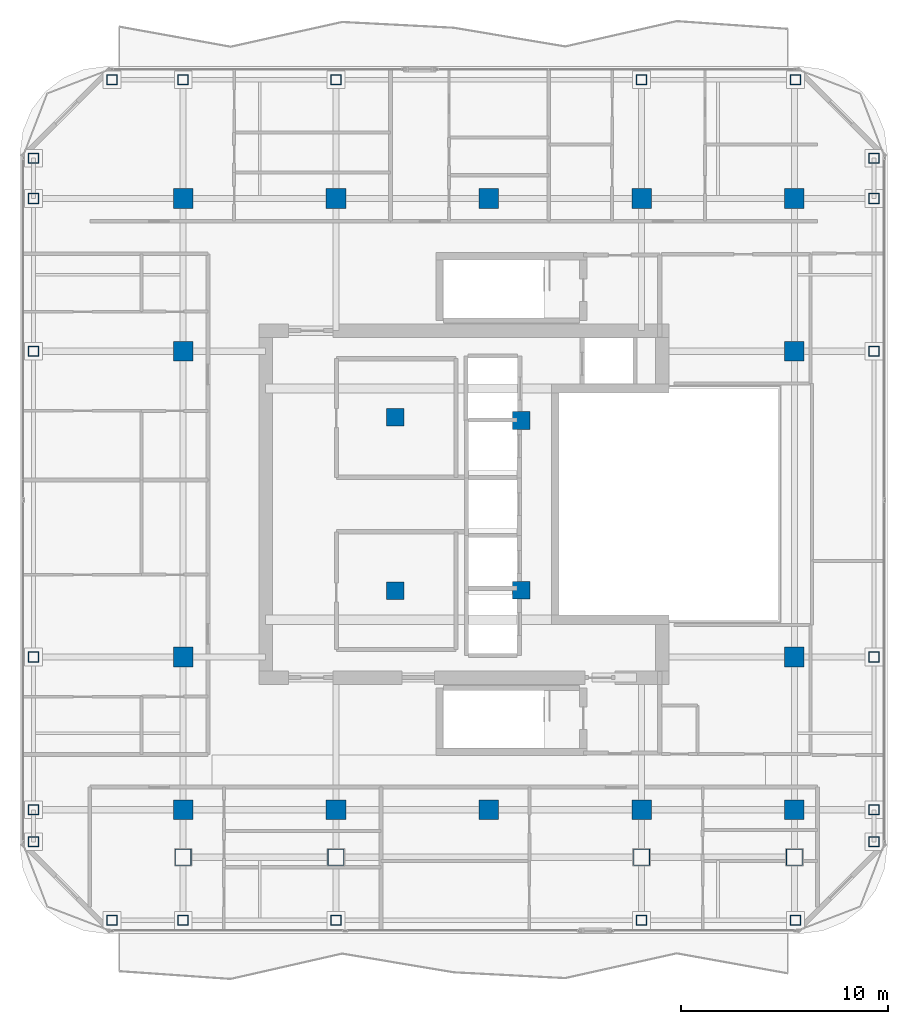
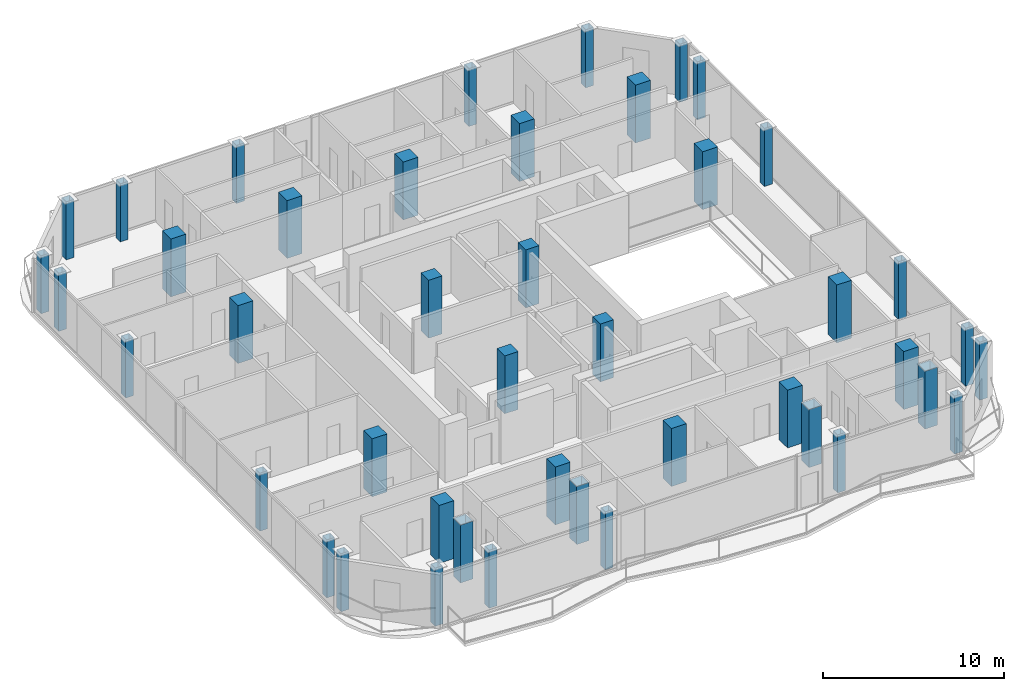
# One storey, part 1 of 22: 44 columns.
"""IFC4 building model written with IfcOpenShell, lengths in metres."""

from ifc_helpers import new_model, si_unit, direction, frame, origin, origin_2d, place, context, subcontext, project, spatial, rectangle, hollow_rectangle, extrude, material, material_profile, profile_set, type_object, element, save


model = new_model("IFC4")

# Units and contexts
model_context = context("Model", 3, precision=1e-05, world=origin(), true_north=direction((0.0, 1.0)))
body_context = subcontext(model_context, "Body", "Model", "MODEL_VIEW")
ifc_project = project(units=[si_unit("LENGTHUNIT", "METRE"), si_unit("AREAUNIT", "SQUARE_METRE"), si_unit("VOLUMEUNIT", "CUBIC_METRE"), si_unit("PLANEANGLEUNIT", "RADIAN"), si_unit("MASSUNIT", "GRAM", prefix="KILO")], contexts=[model_context])

# Site, building, storey
site_placement = place(None, origin())
site = spatial("IfcSite", under=ifc_project, at=site_placement, CompositionType="ELEMENT")
building_placement = place(site_placement, origin())
building = spatial("IfcBuilding", under=site, at=building_placement, Name="Khorvyn Point Tower", CompositionType="ELEMENT")
storey_placement = place(building_placement, frame((0.0, 0.0, 309.300048828125)))
storey = spatial("IfcBuildingStorey", under=building, at=storey_placement, Name="L76", CompositionType="ELEMENT", Elevation=309.300048828125)

# Columns
ifc_material_1 = material(Name="Concrete C40/50", Category="concrete")
ifc_material_profile_1 = material_profile(ifc_material_1, rectangle(XDim=0.85009765625, YDim=0.85009765625, at=origin_2d()))
ifc_profile_set_1 = profile_set([ifc_material_profile_1], Name="Concrete C40/50 RC850x850")
column_type_1 = type_object("IfcColumnType", Name="Concrete C40/50 Column RC850x850", PredefinedType="COLUMN", material=ifc_profile_set_1)
for number, where, z_axis, x_axis, name in (
    (1, (-4.52001953125, -4.199951171875, 0.0), (0.0, 0.0, 1.0), (1.0, 0.0, 0.0), "L76 Crown Core Spine Column 1"),
    (2, (1.580078125, -4.179931640625, 0.0), (0.0, 0.0, 1.0), (1.0, 0.0, 0.0), "L76 Crown Core Spine Column 2"),
    (3, (1.580078125, 4.050048828125, 0.0), (0.0, 0.0, 1.0), (1.0, 0.0, 0.0), "L76 Crown Core Spine Column 3"),
    (4, (-4.52001953125, 4.199951171875, 0.0), (0.0, 0.0, 1.0), (1.0, 0.0, 0.0), "L76 Crown Core Spine Column 4"),
):
    element("IfcColumn", number, at=place(storey_placement, frame(where, z_axis=z_axis, x_axis=x_axis)), inside=storey, type_object=column_type_1, Name=name, PredefinedType="COLUMN", context=body_context, shape_type="SweptSolid", body=[
        extrude(rectangle(XDim=0.85009765625, YDim=0.85009765625, at=origin_2d()), origin(), (0.0, 0.0, 1.0), 3.89990234375),
    ])
ifc_material_profile_2 = material_profile(ifc_material_1, rectangle(XDim=0.949951171875, YDim=0.949951171875, at=origin_2d()))
ifc_profile_set_2 = profile_set([ifc_material_profile_2], Name="Concrete C40/50 RC950x950")
column_type_2 = type_object("IfcColumnType", Name="Concrete C40/50 Column RC950x950", PredefinedType="COLUMN", material=ifc_profile_set_2)
for number, where, z_axis, x_axis, name in (
    (5, (-14.800048828125, -14.800048828125, 0.0), (0.0, 0.0, 1.0), (1.0, 0.0, 0.0), "L76 Mega-Column MC-01"),
    (6, (-7.39990234375, -14.800048828125, 0.0), (0.0, 0.0, 1.0), (1.0, 0.0, 0.0), "L76 Mega-Column MC-02"),
    (7, (0.0, -14.800048828125, 0.0), (0.0, 0.0, 1.0), (1.0, 0.0, 0.0), "L76 Mega-Column MC-03"),
    (8, (7.39990234375, -14.800048828125, 0.0), (0.0, 0.0, 1.0), (1.0, 0.0, 0.0), "L76 Mega-Column MC-04"),
    (9, (14.800048828125, -14.800048828125, 0.0), (0.0, 0.0, 1.0), (1.0, 0.0, 0.0), "L76 Mega-Column MC-05"),
    (10, (-14.800048828125, 14.800048828125, 0.0), (0.0, 0.0, 1.0), (1.0, 0.0, 0.0), "L76 Mega-Column MC-06"),
    (11, (-7.39990234375, 14.800048828125, 0.0), (0.0, 0.0, 1.0), (1.0, 0.0, 0.0), "L76 Mega-Column MC-07"),
    (12, (0.0, 14.800048828125, 0.0), (0.0, 0.0, 1.0), (1.0, 0.0, 0.0), "L76 Mega-Column MC-08"),
    (13, (7.39990234375, 14.800048828125, 0.0), (0.0, 0.0, 1.0), (1.0, 0.0, 0.0), "L76 Mega-Column MC-09"),
    (14, (14.800048828125, 14.800048828125, 0.0), (0.0, 0.0, 1.0), (1.0, 0.0, 0.0), "L76 Mega-Column MC-10"),
    (15, (-14.800048828125, -7.39990234375, 0.0), (0.0, 0.0, 1.0), (1.0, 0.0, 0.0), "L76 Mega-Column MC-11"),
    (16, (-14.800048828125, 7.39990234375, 0.0), (0.0, 0.0, 1.0), (1.0, 0.0, 0.0), "L76 Mega-Column MC-12"),
    (17, (14.800048828125, -7.39990234375, 0.0), (0.0, 0.0, 1.0), (1.0, 0.0, 0.0), "L76 Mega-Column MC-13"),
    (18, (14.800048828125, 7.39990234375, 0.0), (0.0, 0.0, 1.0), (1.0, 0.0, 0.0), "L76 Mega-Column MC-14"),
):
    element("IfcColumn", number, at=place(storey_placement, frame(where, z_axis=z_axis, x_axis=x_axis)), inside=storey, type_object=column_type_2, Name=name, PredefinedType="COLUMN", context=body_context, shape_type="SweptSolid", body=[
        extrude(rectangle(XDim=0.949951171875, YDim=0.949951171875, at=origin_2d()), origin(), (0.0, 0.0, 1.0), 3.89990234375),
    ])
ifc_material_2 = material(Name="Steel S355", Category="steel")
ifc_material_profile_3 = material_profile(ifc_material_2, hollow_rectangle(XDim=0.5, YDim=0.5, WallThickness=0.02490234375, at=origin_2d()))
ifc_profile_set_3 = profile_set([ifc_material_profile_3], Name="Steel S355 BOX500x500x25")
column_type_3 = type_object("IfcColumnType", Name="Steel S355 Structural Column BOX500x500x25", PredefinedType="COLUMN", material=ifc_profile_set_3)
for number, where, z_axis, x_axis, name in (
    (19, (-18.25, -20.14990234375, 0.0), (0.0, 0.0, 1.0), (1.0, 0.0, 0.0), "L76 Perimeter Tube Column TC-01"),
    (20, (14.85009765625, -20.14990234375, 0.0), (0.0, 0.0, 1.0), (1.0, 0.0, 0.0), "L76 Perimeter Tube Column TC-02"),
    (21, (-18.25, 20.550048828125, 0.0), (0.0, 0.0, 1.0), (1.0, 0.0, 0.0), "L76 Perimeter Tube Column TC-03"),
    (22, (14.85009765625, 20.550048828125, 0.0), (0.0, 0.0, 1.0), (1.0, 0.0, 0.0), "L76 Perimeter Tube Column TC-04"),
    (23, (-22.050048828125, -16.35009765625, 0.0), (0.0, 0.0, 1.0), (1.0, 0.0, 0.0), "L76 Perimeter Tube Column TC-05"),
    (24, (-22.050048828125, 16.75, 0.0), (0.0, 0.0, 1.0), (1.0, 0.0, 0.0), "L76 Perimeter Tube Column TC-06"),
    (25, (18.64990234375, -16.35009765625, 0.0), (0.0, 0.0, 1.0), (1.0, 0.0, 0.0), "L76 Perimeter Tube Column TC-07"),
    (26, (18.64990234375, 16.75, 0.0), (0.0, 0.0, 1.0), (1.0, 0.0, 0.0), "L76 Perimeter Tube Column TC-08"),
    (27, (-14.800048828125, -20.14990234375, 0.0), (0.0, 0.0, 1.0), (1.0, 0.0, 0.0), "L76 Perimeter Tube Column TC-09"),
    (28, (-14.800048828125, 20.550048828125, 0.0), (0.0, 0.0, 1.0), (1.0, 0.0, 0.0), "L76 Perimeter Tube Column TC-10"),
    (29, (-7.39990234375, -20.14990234375, 0.0), (0.0, 0.0, 1.0), (1.0, 0.0, 0.0), "L76 Perimeter Tube Column TC-11"),
    (30, (-7.39990234375, 20.550048828125, 0.0), (0.0, 0.0, 1.0), (1.0, 0.0, 0.0), "L76 Perimeter Tube Column TC-12"),
    (31, (7.39990234375, -20.14990234375, 0.0), (0.0, 0.0, 1.0), (1.0, 0.0, 0.0), "L76 Perimeter Tube Column TC-13"),
    (32, (7.39990234375, 20.550048828125, 0.0), (0.0, 0.0, 1.0), (1.0, 0.0, 0.0), "L76 Perimeter Tube Column TC-14"),
    (33, (-22.050048828125, -14.800048828125, 0.0), (0.0, 0.0, 1.0), (1.0, 0.0, 0.0), "L76 Perimeter Tube Column TC-15"),
    (34, (18.64990234375, -14.800048828125, 0.0), (0.0, 0.0, 1.0), (1.0, 0.0, 0.0), "L76 Perimeter Tube Column TC-16"),
    (35, (-22.050048828125, -7.39990234375, 0.0), (0.0, 0.0, 1.0), (1.0, 0.0, 0.0), "L76 Perimeter Tube Column TC-17"),
    (36, (18.64990234375, -7.39990234375, 0.0), (0.0, 0.0, 1.0), (1.0, 0.0, 0.0), "L76 Perimeter Tube Column TC-18"),
    (37, (-22.050048828125, 7.39990234375, 0.0), (0.0, 0.0, 1.0), (1.0, 0.0, 0.0), "L76 Perimeter Tube Column TC-19"),
    (38, (18.64990234375, 7.39990234375, 0.0), (0.0, 0.0, 1.0), (1.0, 0.0, 0.0), "L76 Perimeter Tube Column TC-20"),
    (39, (-22.050048828125, 14.800048828125, 0.0), (0.0, 0.0, 1.0), (1.0, 0.0, 0.0), "L76 Perimeter Tube Column TC-21"),
    (40, (18.64990234375, 14.800048828125, 0.0), (0.0, 0.0, 1.0), (1.0, 0.0, 0.0), "L76 Perimeter Tube Column TC-22"),
):
    element("IfcColumn", number, at=place(storey_placement, frame(where, z_axis=z_axis, x_axis=x_axis)), inside=storey, type_object=column_type_3, Name=name, PredefinedType="COLUMN", context=body_context, shape_type="SweptSolid", body=[
        extrude(hollow_rectangle(XDim=0.5, YDim=0.5, WallThickness=0.02490234375, at=origin_2d()), origin(), (0.0, 0.0, 1.0), 3.89990234375),
    ])
ifc_material_3 = material(Name="Steel S450", Category="steel")
ifc_material_profile_4 = material_profile(ifc_material_3, hollow_rectangle(XDim=0.800048828125, YDim=0.800048828125, WallThickness=0.035888671875, at=origin_2d()))
ifc_profile_set_4 = profile_set([ifc_material_profile_4], Name="Steel S450 BOX800x800x36")
column_type_4 = type_object("IfcColumnType", Name="Steel S450 Structural Column BOX800x800x36", PredefinedType="COLUMN", material=ifc_profile_set_4)
for number, where, z_axis, x_axis, name in (
    (41, (-14.800048828125, -17.10009765625, 0.0), (0.0, 0.0, 1.0), (1.0, 0.0, 0.0), "L76 Intermediate Column ICS--14"),
    (42, (-7.39990234375, -17.10009765625, 0.0), (0.0, 0.0, 1.0), (1.0, 0.0, 0.0), "L76 Intermediate Column ICS--7"),
    (43, (7.39990234375, -17.10009765625, 0.0), (0.0, 0.0, 1.0), (1.0, 0.0, 0.0), "L76 Intermediate Column ICS-7"),
    (44, (14.800048828125, -17.10009765625, 0.0), (0.0, 0.0, 1.0), (1.0, 0.0, 0.0), "L76 Intermediate Column ICS-14"),
):
    element("IfcColumn", number, at=place(storey_placement, frame(where, z_axis=z_axis, x_axis=x_axis)), inside=storey, type_object=column_type_4, Name=name, PredefinedType="COLUMN", context=body_context, shape_type="SweptSolid", body=[
        extrude(hollow_rectangle(XDim=0.800048828125, YDim=0.800048828125, WallThickness=0.035888671875, at=origin_2d()), origin(), (0.0, 0.0, 1.0), 3.89990234375),
    ])

save(model, "model.ifc")
